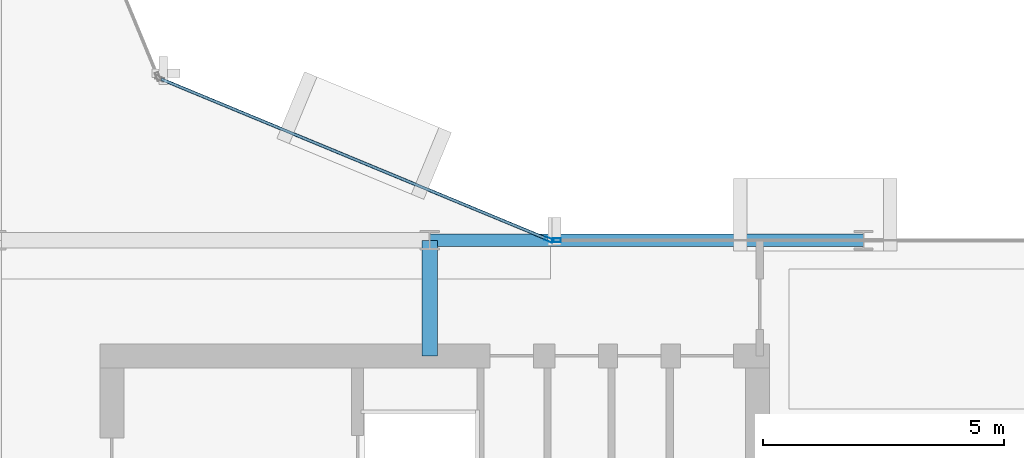
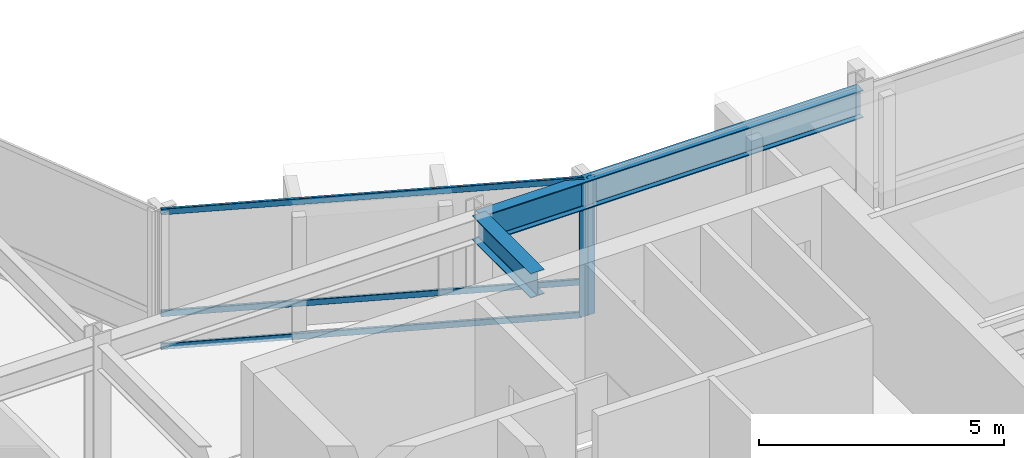
# One storey, part 12 of 28: 5 members, 2 beams, 2 elements without a shape of their own.
"""IFC4 building model written with IfcOpenShell, lengths in metres."""

from ifc_helpers import new_model, si_unit, direction, frame, origin, origin_2d, place, context, subcontext, project, spatial, hollow_rectangle, i_section, extrude, material, layer, layer_set, material_profile, profile_set, type_object, element, aggregate, save


model = new_model("IFC4")

# Units and contexts
model_context = context("Model", 3, precision=1e-05, world=origin(), true_north=direction((0.0, 1.0)))
body_context = subcontext(model_context, "Body", "Model", "MODEL_VIEW")
ifc_project = project(units=[si_unit("LENGTHUNIT", "METRE"), si_unit("AREAUNIT", "SQUARE_METRE"), si_unit("VOLUMEUNIT", "CUBIC_METRE"), si_unit("PLANEANGLEUNIT", "RADIAN"), si_unit("MASSUNIT", "GRAM", prefix="KILO")], contexts=[model_context])

# Site, building, storey
site_placement = place(None, origin())
site = spatial("IfcSite", under=ifc_project, at=site_placement, CompositionType="ELEMENT")
building_placement = place(site_placement, origin())
building = spatial("IfcBuilding", under=site, at=building_placement, Name="Solvaryn Broadcast Tower", CompositionType="ELEMENT")
storey_placement = place(building_placement, frame((0.0, 0.0, 209.89990234375)))
storey = spatial("IfcBuildingStorey", under=building, at=storey_placement, Name="L52", CompositionType="ELEMENT", Elevation=209.89990234375)

# Beams
ifc_material_1 = material(Name="Steel ASTM A992 Grade 50", Category="steel")
ifc_material_profile_1 = material_profile(ifc_material_1, i_section(OverallWidth=0.323974609375, OverallDepth=0.611083984375, WebThickness=0.0126953125, FlangeThickness=0.01904296875, FilletRadius=0.014892578125, at=origin_2d()))
ifc_profile_set_1 = profile_set([ifc_material_profile_1], Name="Steel ASTM A992 Grade 50")
beam_type_1 = type_object("IfcBeamType", Name="BM-B1-W24X104", PredefinedType="BEAM", material=ifc_profile_set_1)
beam_1_placement = place(storey_placement, frame((36.0, 24.60009765625, 3.114501953125), z_axis=(0.0, 1.0, 0.0), x_axis=(-1.0, 0.0, 0.0)))
element("IfcBeam", 1, at=beam_1_placement, inside=storey, type_object=beam_type_1, Name="L52 Core Tie Beam CTE2", PredefinedType="BEAM", context=body_context, shape_type="SweptSolid", body=[
    extrude(i_section(OverallWidth=0.323974609375, OverallDepth=0.611083984375, WebThickness=0.0126953125, FlangeThickness=0.01904296875, FilletRadius=0.014892578125, at=origin_2d()), origin(), (0.0, 0.0, 1.0), 2.39990234375),
])
ifc_material_2 = material(Name="Steel ASTM A992 Grade 50", Category="steel")
ifc_material_profile_2 = material_profile(ifc_material_2, i_section(OverallWidth=0.256103515625, OverallDepth=0.693115234375, WebThickness=0.014404296875, FlangeThickness=0.023681640625, FilletRadius=0.01611328125, at=origin_2d()))
ifc_profile_set_2 = profile_set([ifc_material_profile_2], Name="Steel ASTM A992 Grade 50")
beam_type_2 = type_object("IfcBeamType", Name="BM-SP3-W27X114", PredefinedType="USERDEFINED", material=ifc_profile_set_2)
beam_2_placement = place(storey_placement, frame((36.0, 27.0, 3.073486328125), z_axis=(1.0, 0.0, 0.0), x_axis=(0.0, 1.0, 0.0)))
element("IfcBeam", 2, at=beam_2_placement, inside=storey, type_object=beam_type_2, Name="L52 Spandrel Beam X (36-45 @ Y=27)", ObjectType="SPANDREL", PredefinedType="USERDEFINED", context=body_context, shape_type="SweptSolid", body=[
    extrude(i_section(OverallWidth=0.256103515625, OverallDepth=0.693115234375, WebThickness=0.014404296875, FlangeThickness=0.023681640625, FilletRadius=0.01611328125, at=origin_2d()), origin(), (0.0, 0.0, 1.0), 9.0),
])

# Curtain wall, member
ifc_material_3 = material(Name="Aluminium and Terracotta Unitised Curtain Wall", Category="masonry")
ifc_layer = layer(ifc_material_3, 0.199951171875)
ifc_layer_set = layer_set([ifc_layer], Name="CW-SYS2-LOWMID")
curtain_wall_type = type_object("IfcCurtainWallType", Name="CW-SYS2-LOWMID", PredefinedType="NOTDEFINED", material=ifc_layer_set)
curtain_wall_1_placement = place(storey_placement, origin())
curtain_wall_1 = element("IfcCurtainWall", 3, at=curtain_wall_1_placement, inside=storey, type_object=curtain_wall_type, Name="L52 Curtain Wall CN1", PredefinedType="NOTDEFINED")
ifc_material_4 = material(Name="Anodised Aluminium 6063-T6", Category="aluminium")
ifc_material_profile_3 = material_profile(ifc_material_4, hollow_rectangle(XDim=0.074951171875, YDim=0.179931640625, WallThickness=0.00390625, InnerFilletRadius=0.00390625, OuterFilletRadius=0.008056640625, at=origin_2d()))
ifc_profile_set_3 = profile_set([ifc_material_profile_3], Name="Anodised Aluminium 6063-T6")
member_type_1 = type_object("IfcMemberType", Name="CW-MUL-180", PredefinedType="MULLION", material=ifc_profile_set_3)
member_1_placement = place(storey_placement, frame((38.47216796875, 27.011474609375, 0.0), z_axis=(0.0, 0.0, 1.0), x_axis=(-0.382646127145, -0.923894983957, 0.0)))
member_1 = element("IfcMember", 4, at=member_1_placement, type_object=member_type_1, Name="CWS2 mullion 1", PredefinedType="MULLION", context=body_context, shape_type="SweptSolid", body=[
    extrude(hollow_rectangle(XDim=0.074951171875, YDim=0.179931640625, WallThickness=0.00390625, InnerFilletRadius=0.00390625, OuterFilletRadius=0.008056640625, at=origin_2d()), origin(), (0.0, 0.0, 1.0), 3.420166015625),
])

curtain_wall_2_placement = place(storey_placement, origin())
curtain_wall_2 = element("IfcCurtainWall", 5, at=curtain_wall_2_placement, inside=storey, type_object=curtain_wall_type, Name="L52 Curtain Wall IH", PredefinedType="NOTDEFINED")
member_2_placement = place(storey_placement, frame((38.6298828125, 27.0, 0.0), z_axis=(0.0, 0.0, 1.0), x_axis=(0.0, 1.0, 0.0)))
member_2 = element("IfcMember", 6, at=member_2_placement, type_object=member_type_1, Name="CWS2 mullion 1", PredefinedType="MULLION", context=body_context, shape_type="SweptSolid", body=[
    extrude(hollow_rectangle(XDim=0.074951171875, YDim=0.179931640625, WallThickness=0.00390625, InnerFilletRadius=0.00390625, OuterFilletRadius=0.008056640625, at=origin_2d()), origin(), (0.0, 0.0, 1.0), 3.420166015625),
])
aggregate(curtain_wall_2, [member_2])

# Member
ifc_material_5 = material(Name="Anodised Aluminium 6063-T6", Category="aluminium")
ifc_material_profile_4 = material_profile(ifc_material_5, hollow_rectangle(XDim=0.06494140625, YDim=0.14990234375, WallThickness=0.00390625, InnerFilletRadius=0.00390625, OuterFilletRadius=0.008056640625, at=origin_2d()))
ifc_profile_set_4 = profile_set([ifc_material_profile_4], Name="Anodised Aluminium 6063-T6")
member_type_2 = type_object("IfcMemberType", Name="CW-TRN-150", PredefinedType="USERDEFINED", material=ifc_profile_set_4)
member_3_placement = place(storey_placement, frame((38.444580078125, 27.02294921875, 0.030029296875), z_axis=(-0.923899282177, 0.382635748975, 0.0), x_axis=(-0.382635748975, -0.923899282177, 0.0)))
member_3 = element("IfcMember", 7, at=member_3_placement, type_object=member_type_2, Name="CWS2 transom 1.1", ObjectType="TRANSOM", PredefinedType="USERDEFINED", context=body_context, shape_type="SweptSolid", body=[
    extrude(hollow_rectangle(XDim=0.06494140625, YDim=0.14990234375, WallThickness=0.00390625, InnerFilletRadius=0.00390625, OuterFilletRadius=0.008056640625, at=origin_2d()), origin(), (0.0, 0.0, 1.0), 8.681884765625),
])

member_4_placement = place(storey_placement, frame((38.444580078125, 27.02294921875, 0.85009765625), z_axis=(-0.923899282177, 0.382635748975, 0.0), x_axis=(-0.382635748975, -0.923899282177, 0.0)))
member_4 = element("IfcMember", 8, at=member_4_placement, type_object=member_type_2, Name="CWS2 transom 1.2", ObjectType="TRANSOM", PredefinedType="USERDEFINED", context=body_context, shape_type="SweptSolid", body=[
    extrude(hollow_rectangle(XDim=0.06494140625, YDim=0.14990234375, WallThickness=0.00390625, InnerFilletRadius=0.00390625, OuterFilletRadius=0.008056640625, at=origin_2d()), origin(), (0.0, 0.0, 1.0), 8.681884765625),
])

member_5_placement = place(storey_placement, frame((38.444580078125, 27.02294921875, 3.39013671875), z_axis=(-0.923899282177, 0.382635748975, 0.0), x_axis=(-0.382635748975, -0.923899282177, 0.0)))
member_5 = element("IfcMember", 9, at=member_5_placement, type_object=member_type_2, Name="CWS2 transom 1.3", ObjectType="TRANSOM", PredefinedType="USERDEFINED", context=body_context, shape_type="SweptSolid", body=[
    extrude(hollow_rectangle(XDim=0.06494140625, YDim=0.14990234375, WallThickness=0.00390625, InnerFilletRadius=0.00390625, OuterFilletRadius=0.008056640625, at=origin_2d()), origin(), (0.0, 0.0, 1.0), 8.681884765625),
])

aggregate(curtain_wall_1, [member_1, member_3, member_4, member_5])

save(model, "model.ifc")
